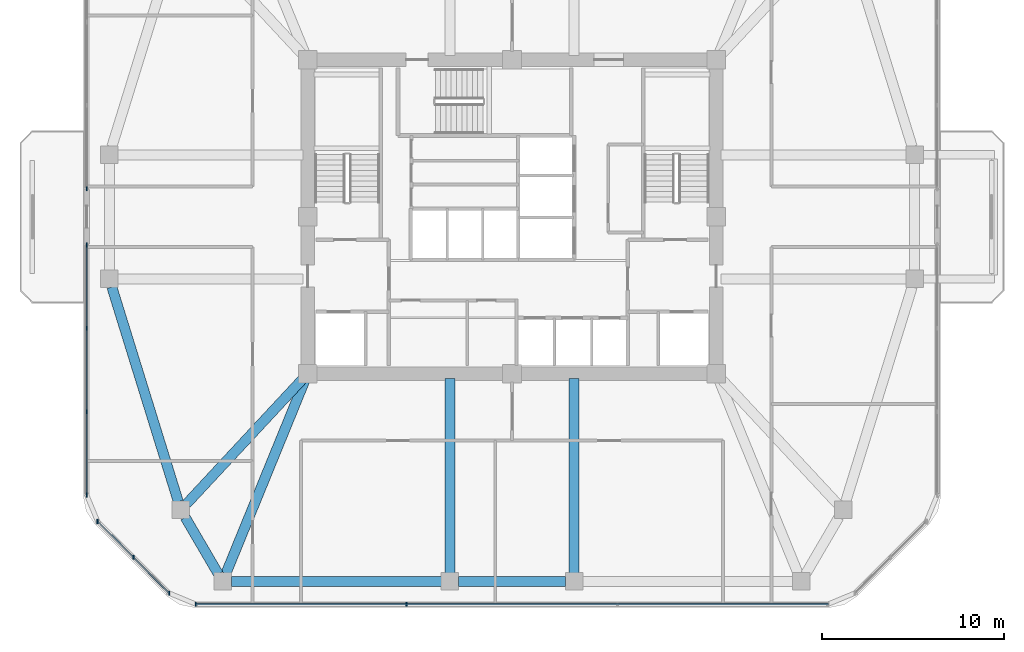
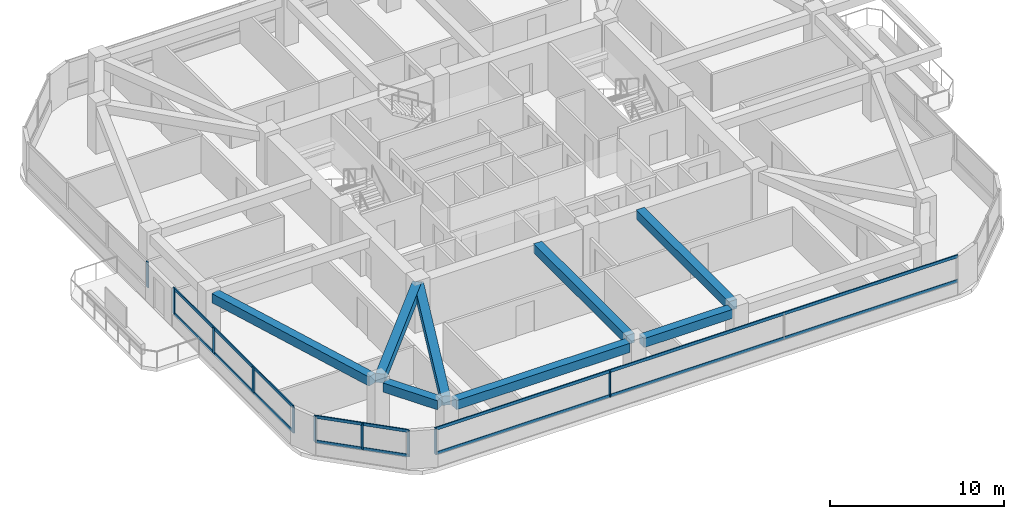
# One storey, part 2 of 12: 16 members, 8 beams, 4 elements without a shape of their own.
"""IFC4 building model written with IfcOpenShell, lengths in metres."""

from ifc_helpers import new_model, si_unit, derived_unit, direction, frame, origin, origin_2d, place, context, subcontext, project, spatial, rectangle, extrude, material, material_profile, profile_set, type_object, element, aggregate, save


model = new_model("IFC4")

# Units and contexts
model_context = context("Model", 3, precision=1e-05, world=origin(), true_north=direction((0.0, 1.0)))
body_context = subcontext(model_context, "Body", "Model", "MODEL_VIEW")
ifc_project = project(units=[si_unit("LENGTHUNIT", "METRE"), si_unit("AREAUNIT", "SQUARE_METRE"), si_unit("VOLUMEUNIT", "CUBIC_METRE"), si_unit("PLANEANGLEUNIT", "RADIAN"), si_unit("MASSUNIT", "GRAM", prefix="KILO"), derived_unit("THERMALTRANSMITTANCEUNIT", [(si_unit("POWERUNIT", "WATT"), 1), (si_unit("LENGTHUNIT", "METRE"), -2), (si_unit("THERMODYNAMICTEMPERATUREUNIT", "KELVIN"), -1)])], contexts=[model_context])

# Site, building, storey
site_placement = place(None, origin())
site = spatial("IfcSite", under=ifc_project, at=site_placement, CompositionType="ELEMENT")
building_placement = place(site_placement, origin())
building = spatial("IfcBuilding", under=site, at=building_placement, Name="Koralith Skygarden Medical Center", CompositionType="ELEMENT")
storey_placement = place(building_placement, frame((0.0, 0.0, 170.820068359375)))
storey = spatial("IfcBuildingStorey", under=building, at=storey_placement, Name="L44", CompositionType="ELEMENT", Elevation=170.820068359375)

# Curtain wall, members
ifc_material_1 = material(Name="Clear Laminated Glass", Category="glass")
curtain_wall_type = type_object("IfcCurtainWallType", Name="CW-4 Zone 3 Waist High-Wind Curtain Wall", PredefinedType="NOTDEFINED", material=ifc_material_1)
curtain_wall_1_placement = place(storey_placement, origin())
curtain_wall_1 = element("IfcCurtainWall", 1, at=curtain_wall_1_placement, inside=storey, type_object=curtain_wall_type, Name="Curtain Wall CW-L44-S", PredefinedType="NOTDEFINED")
ifc_material_2 = material(Name="Aluminium 6063-T6", Category="aluminium")
ifc_material_profile_1 = material_profile(ifc_material_2, rectangle(XDim=0.076904296875, YDim=0.22998046875, at=origin_2d()), Name="MUL77X230")
ifc_profile_set_1 = profile_set([ifc_material_profile_1], Name="Aluminium 6063-T6")
member_type_1 = type_object("IfcMemberType", Name="CW-4 Extruded Mullion 77x230", PredefinedType="MULLION", material=ifc_profile_set_1)
member_1_placement = place(storey_placement, frame((19.6708984375, 4.679931640625, 0.849853515625), z_axis=(0.0, 0.0, 1.0), x_axis=(1.0, 0.0, 0.0)))
member_1 = element("IfcMember", 2, at=member_1_placement, type_object=member_type_1, Name="CW-L44-S Mullion 1", PredefinedType="MULLION", context=body_context, shape_type="SweptSolid", body=[
    extrude(rectangle(XDim=0.076904296875, YDim=0.22998046875, at=origin_2d()), origin(), (0.0, 0.0, 1.0), 1.820068359375),
])
member_2_placement = place(storey_placement, frame((31.22412109375, 4.679931640625, 0.849853515625), z_axis=(0.0, 0.0, 1.0), x_axis=(1.0, 0.0, 0.0)))
member_2 = element("IfcMember", 3, at=member_2_placement, type_object=member_type_1, Name="CW-L44-S Mullion 2", PredefinedType="MULLION", context=body_context, shape_type="SweptSolid", body=[
    extrude(rectangle(XDim=0.076904296875, YDim=0.22998046875, at=origin_2d()), origin(), (0.0, 0.0, 1.0), 1.820068359375),
])

# Curtain wall, member
curtain_wall_2_placement = place(storey_placement, origin())
curtain_wall_2 = element("IfcCurtainWall", 4, at=curtain_wall_2_placement, inside=storey, type_object=curtain_wall_type, Name="Curtain Wall CW-L44-W-L", PredefinedType="NOTDEFINED")
member_3_placement = place(storey_placement, frame((13.696044921875, 27.43994140625, 0.849853515625), z_axis=(0.0, 0.0, 1.0), x_axis=(1.0, 0.0, 0.0)))
member_3 = element("IfcMember", 5, at=member_3_placement, type_object=member_type_1, Name="CW-L44-W-L Mullion 4", PredefinedType="MULLION", context=body_context, shape_type="SweptSolid", body=[
    extrude(rectangle(XDim=0.076904296875, YDim=0.22998046875, at=origin_2d()), origin(), (0.0, 0.0, 1.0), 1.820068359375),
])
aggregate(curtain_wall_2, [member_3])

# Curtain wall, members
curtain_wall_3_placement = place(storey_placement, origin())
curtain_wall_3 = element("IfcCurtainWall", 6, at=curtain_wall_3_placement, inside=storey, type_object=curtain_wall_type, Name="Curtain Wall CW-L44-W-R", PredefinedType="NOTDEFINED")
member_4_placement = place(storey_placement, frame((13.696044921875, 24.360107421875, 0.849853515625), z_axis=(0.0, 0.0, 1.0), x_axis=(1.0, 0.0, 0.0)))
member_4 = element("IfcMember", 7, at=member_4_placement, type_object=member_type_1, Name="CW-L44-W-R Mullion 1", PredefinedType="MULLION", context=body_context, shape_type="SweptSolid", body=[
    extrude(rectangle(XDim=0.076904296875, YDim=0.22998046875, at=origin_2d()), origin(), (0.0, 0.0, 1.0), 1.820068359375),
])
member_5_placement = place(storey_placement, frame((13.696044921875, 19.7919921875, 0.849853515625), z_axis=(0.0, 0.0, 1.0), x_axis=(1.0, 0.0, 0.0)))
member_5 = element("IfcMember", 8, at=member_5_placement, type_object=member_type_1, Name="CW-L44-W-R Mullion 2", PredefinedType="MULLION", context=body_context, shape_type="SweptSolid", body=[
    extrude(rectangle(XDim=0.076904296875, YDim=0.22998046875, at=origin_2d()), origin(), (0.0, 0.0, 1.0), 1.820068359375),
])
member_6_placement = place(storey_placement, frame((13.696044921875, 15.222900390625, 0.849853515625), z_axis=(0.0, 0.0, 1.0), x_axis=(1.0, 0.0, 0.0)))
member_6 = element("IfcMember", 9, at=member_6_placement, type_object=member_type_1, Name="CW-L44-W-R Mullion 3", PredefinedType="MULLION", context=body_context, shape_type="SweptSolid", body=[
    extrude(rectangle(XDim=0.076904296875, YDim=0.22998046875, at=origin_2d()), origin(), (0.0, 0.0, 1.0), 1.820068359375),
])
member_7_placement = place(storey_placement, frame((13.696044921875, 10.655029296875, 0.849853515625), z_axis=(0.0, 0.0, 1.0), x_axis=(1.0, 0.0, 0.0)))
member_7 = element("IfcMember", 10, at=member_7_placement, type_object=member_type_1, Name="CW-L44-W-R Mullion 4", PredefinedType="MULLION", context=body_context, shape_type="SweptSolid", body=[
    extrude(rectangle(XDim=0.076904296875, YDim=0.22998046875, at=origin_2d()), origin(), (0.0, 0.0, 1.0), 1.820068359375),
])

curtain_wall_4_placement = place(storey_placement, origin())
curtain_wall_4 = element("IfcCurtainWall", 11, at=curtain_wall_4_placement, inside=storey, type_object=curtain_wall_type, Name="Curtain Wall CW-L44-SW", PredefinedType="NOTDEFINED")
member_8_placement = place(storey_placement, frame((14.297119140625, 9.2041015625, 0.849853515625), z_axis=(0.0, 0.0, 1.0), x_axis=(1.0, 0.0, 0.0)))
member_8 = element("IfcMember", 12, at=member_8_placement, type_object=member_type_1, Name="CW-L44-SW Mullion 1", PredefinedType="MULLION", context=body_context, shape_type="SweptSolid", body=[
    extrude(rectangle(XDim=0.076904296875, YDim=0.22998046875, at=origin_2d()), origin(), (0.0, 0.0, 1.0), 1.820068359375),
])
member_9_placement = place(storey_placement, frame((16.258056640625, 7.241943359375, 0.849853515625), z_axis=(0.0, 0.0, 1.0), x_axis=(1.0, 0.0, 0.0)))
member_9 = element("IfcMember", 13, at=member_9_placement, type_object=member_type_1, Name="CW-L44-SW Mullion 2", PredefinedType="MULLION", context=body_context, shape_type="SweptSolid", body=[
    extrude(rectangle(XDim=0.076904296875, YDim=0.22998046875, at=origin_2d()), origin(), (0.0, 0.0, 1.0), 1.820068359375),
])
member_10_placement = place(storey_placement, frame((18.219970703125, 5.281005859375, 0.849853515625), z_axis=(0.0, 0.0, 1.0), x_axis=(1.0, 0.0, 0.0)))
member_10 = element("IfcMember", 14, at=member_10_placement, type_object=member_type_1, Name="CW-L44-SW Mullion 3", PredefinedType="MULLION", context=body_context, shape_type="SweptSolid", body=[
    extrude(rectangle(XDim=0.076904296875, YDim=0.22998046875, at=origin_2d()), origin(), (0.0, 0.0, 1.0), 1.820068359375),
])

# Member
ifc_material_profile_2 = material_profile(ifc_material_2, rectangle(XDim=0.072021484375, YDim=0.20703125, at=origin_2d()), Name="TRN72X207")
ifc_profile_set_2 = profile_set([ifc_material_profile_2], Name="Aluminium 6063-T6")
member_type_2 = type_object("IfcMemberType", Name="CW-4 Thermal Transom 72x207", PredefinedType="USERDEFINED", material=ifc_profile_set_2)
member_11_placement = place(storey_placement, frame((19.6708984375, 4.679931640625, 0.89990234375), z_axis=(1.0, 0.0, 0.0), x_axis=(0.0, 1.0, 0.0)))
member_11 = element("IfcMember", 15, at=member_11_placement, type_object=member_type_2, Name="CW-L44-S Transom 1", ObjectType="TRANSOM", PredefinedType="USERDEFINED", context=body_context, shape_type="SweptSolid", body=[
    extrude(rectangle(XDim=0.072021484375, YDim=0.20703125, at=origin_2d()), origin(), (0.0, 0.0, 1.0), 34.658203125),
])

member_12_placement = place(storey_placement, frame((19.6708984375, 4.679931640625, 2.619873046875), z_axis=(1.0, 0.0, 0.0), x_axis=(0.0, 1.0, 0.0)))
member_12 = element("IfcMember", 16, at=member_12_placement, type_object=member_type_2, Name="CW-L44-S Transom 2", ObjectType="TRANSOM", PredefinedType="USERDEFINED", context=body_context, shape_type="SweptSolid", body=[
    extrude(rectangle(XDim=0.072021484375, YDim=0.20703125, at=origin_2d()), origin(), (0.0, 0.0, 1.0), 34.658203125),
])

aggregate(curtain_wall_1, [member_1, member_2, member_11, member_12])

member_13_placement = place(storey_placement, frame((13.696044921875, 24.360107421875, 0.89990234375), z_axis=(0.0, -1.0, 0.0), x_axis=(1.0, 0.0, 0.0)))
member_13 = element("IfcMember", 17, at=member_13_placement, type_object=member_type_2, Name="CW-L44-W-R Transom 1", ObjectType="TRANSOM", PredefinedType="USERDEFINED", context=body_context, shape_type="SweptSolid", body=[
    extrude(rectangle(XDim=0.072021484375, YDim=0.20703125, at=origin_2d()), origin(), (0.0, 0.0, 1.0), 13.705078125),
])

member_14_placement = place(storey_placement, frame((13.696044921875, 24.360107421875, 2.619873046875), z_axis=(0.0, -1.0, 0.0), x_axis=(1.0, 0.0, 0.0)))
member_14 = element("IfcMember", 18, at=member_14_placement, type_object=member_type_2, Name="CW-L44-W-R Transom 2", ObjectType="TRANSOM", PredefinedType="USERDEFINED", context=body_context, shape_type="SweptSolid", body=[
    extrude(rectangle(XDim=0.072021484375, YDim=0.20703125, at=origin_2d()), origin(), (0.0, 0.0, 1.0), 13.705078125),
])

aggregate(curtain_wall_3, [member_4, member_5, member_6, member_7, member_13, member_14])

member_15_placement = place(storey_placement, frame((14.297119140625, 9.2041015625, 0.89990234375), z_axis=(0.707084777957, -0.707128783731, 0.0), x_axis=(0.707128783731, 0.707084777957, 0.0)))
member_15 = element("IfcMember", 19, at=member_15_placement, type_object=member_type_2, Name="CW-L44-SW Transom 1", ObjectType="TRANSOM", PredefinedType="USERDEFINED", context=body_context, shape_type="SweptSolid", body=[
    extrude(rectangle(XDim=0.072021484375, YDim=0.20703125, at=origin_2d()), origin(), (0.0, 0.0, 1.0), 5.5478515625),
])

member_16_placement = place(storey_placement, frame((14.297119140625, 9.2041015625, 2.619873046875), z_axis=(0.707084777957, -0.707128783731, 0.0), x_axis=(0.707128783731, 0.707084777957, 0.0)))
member_16 = element("IfcMember", 20, at=member_16_placement, type_object=member_type_2, Name="CW-L44-SW Transom 2", ObjectType="TRANSOM", PredefinedType="USERDEFINED", context=body_context, shape_type="SweptSolid", body=[
    extrude(rectangle(XDim=0.072021484375, YDim=0.20703125, at=origin_2d()), origin(), (0.0, 0.0, 1.0), 5.5478515625),
])

aggregate(curtain_wall_4, [member_8, member_9, member_10, member_15, member_16])

# Beams
ifc_material_3 = material(Name="Concrete C45/55", Category="concrete")
ifc_material_profile_3 = material_profile(ifc_material_3, rectangle(XDim=0.550048828125, YDim=0.639892578125, at=origin_2d()), Name="RCB550X640")
ifc_profile_set_3 = profile_set([ifc_material_profile_3], Name="Concrete C45/55")
beam_type_1 = type_object("IfcBeamType", Name="Radial Collector Beam RCB550X640", PredefinedType="BEAM", material=ifc_profile_set_3)
beam_1_placement = place(storey_placement, frame((25.6298828125, 17.116943359375, 3.0), z_axis=(-0.681369011591, -0.731940072713, 0.0), x_axis=(0.731940072713, -0.681369011591, 0.0)))
element("IfcBeam", 21, at=beam_1_placement, inside=storey, type_object=beam_type_1, Name="L44 Radial Collector Beam RB-02", PredefinedType="BEAM", context=body_context, shape_type="SweptSolid", body=[
    extrude(rectangle(XDim=0.550048828125, YDim=0.639892578125, at=origin_2d()), origin(), (0.0, 0.0, 1.0), 9.471923828125),
])
beam_2_placement = place(storey_placement, frame((25.705078125, 17.069091796875, 3.0), z_axis=(-0.378344544364, -0.92566484526, 0.0), x_axis=(0.92566484526, -0.378344544364, 0.0)))
element("IfcBeam", 22, at=beam_2_placement, inside=storey, type_object=beam_type_1, Name="L44 Radial Collector Beam RB-03", PredefinedType="BEAM", context=body_context, shape_type="SweptSolid", body=[
    extrude(rectangle(XDim=0.550048828125, YDim=0.639892578125, at=origin_2d()), origin(), (0.0, 0.0, 1.0), 11.574462890625),
])
for number, where, z_axis, x_axis, name in (
    (23, (33.60009765625, 17.050048828125, 3.0), (0.0, -1.0, 0.0), (1.0, 0.0, 0.0), "L44 Radial Collector Beam RB-04"),
    (24, (40.39990234375, 17.050048828125, 3.0), (0.0, -1.0, 0.0), (1.0, 0.0, 0.0), "L44 Radial Collector Beam RB-05"),
):
    element("IfcBeam", number, at=place(storey_placement, frame(where, z_axis=z_axis, x_axis=x_axis)), inside=storey, type_object=beam_type_1, Name=name, PredefinedType="BEAM", context=body_context, shape_type="SweptSolid", body=[
        extrude(rectangle(XDim=0.550048828125, YDim=0.639892578125, at=origin_2d()), origin(), (0.0, 0.0, 1.0), 10.66015625),
    ])
ifc_material_profile_4 = material_profile(ifc_material_3, rectangle(XDim=0.550048828125, YDim=0.639892578125, at=origin_2d()), Name="RCB550X640")
ifc_profile_set_4 = profile_set([ifc_material_profile_4], Name="Concrete C45/55")
beam_type_2 = type_object("IfcBeamType", Name="Zone 2-3 Spandrel Beam RCB550X640", PredefinedType="SPANDREL", material=ifc_profile_set_4)
beam_3_placement = place(storey_placement, frame((15.074951171875, 22.051025390625, 3.0), z_axis=(0.295793585147, -0.955251880389, 0.0), x_axis=(0.955251880389, 0.295793585147, 0.0)))
element("IfcBeam", 25, at=beam_3_placement, inside=storey, type_object=beam_type_2, Name="L44 Perimeter Spandrel Beam SP-01", PredefinedType="SPANDREL", context=body_context, shape_type="SweptSolid", body=[
    extrude(rectangle(XDim=0.550048828125, YDim=0.639892578125, at=origin_2d()), origin(), (0.0, 0.0, 1.0), 12.31298828125),
])
beam_4_placement = place(storey_placement, frame((19.093017578125, 9.43408203125, 3.0), z_axis=(0.504861391295, -0.863200426077, 0.0), x_axis=(0.863200426077, 0.504861391295, 0.0)))
element("IfcBeam", 26, at=beam_4_placement, inside=storey, type_object=beam_type_2, Name="L44 Perimeter Spandrel Beam SP-02", PredefinedType="SPANDREL", context=body_context, shape_type="SweptSolid", body=[
    extrude(rectangle(XDim=0.550048828125, YDim=0.639892578125, at=origin_2d()), origin(), (0.0, 0.0, 1.0), 3.600830078125),
])
beam_5_placement = place(storey_placement, frame((21.617919921875, 5.919921875, 3.0), z_axis=(1.0, 0.0, 0.0), x_axis=(0.0, 1.0, 0.0)))
element("IfcBeam", 27, at=beam_5_placement, inside=storey, type_object=beam_type_2, Name="L44 Perimeter Spandrel Beam SP-03", PredefinedType="SPANDREL", context=body_context, shape_type="SweptSolid", body=[
    extrude(rectangle(XDim=0.550048828125, YDim=0.639892578125, at=origin_2d()), origin(), (0.0, 0.0, 1.0), 11.511962890625),
])
beam_6_placement = place(storey_placement, frame((34.070068359375, 5.919921875, 3.0), z_axis=(1.0, 0.0, 0.0), x_axis=(0.0, 1.0, 0.0)))
element("IfcBeam", 28, at=beam_6_placement, inside=storey, type_object=beam_type_2, Name="L44 Perimeter Spandrel Beam SP-04", PredefinedType="SPANDREL", context=body_context, shape_type="SweptSolid", body=[
    extrude(rectangle(XDim=0.550048828125, YDim=0.639892578125, at=origin_2d()), origin(), (0.0, 0.0, 1.0), 5.85986328125),
])

save(model, "model.ifc")
